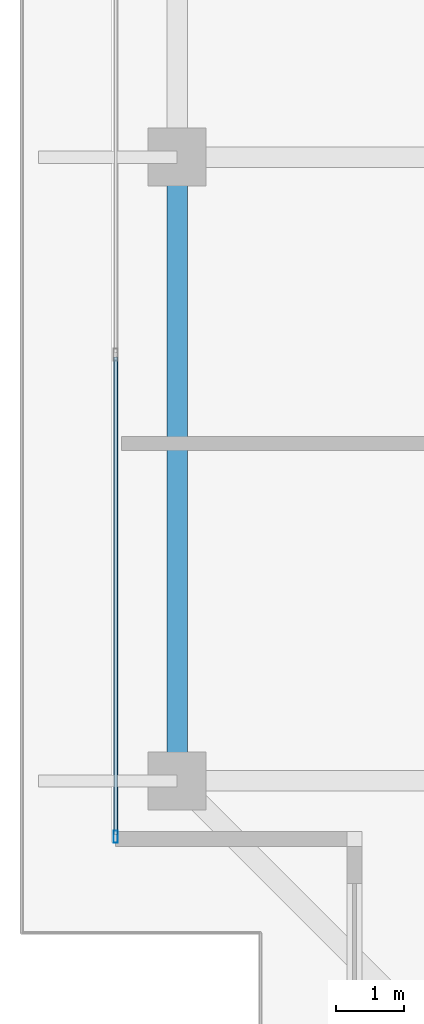
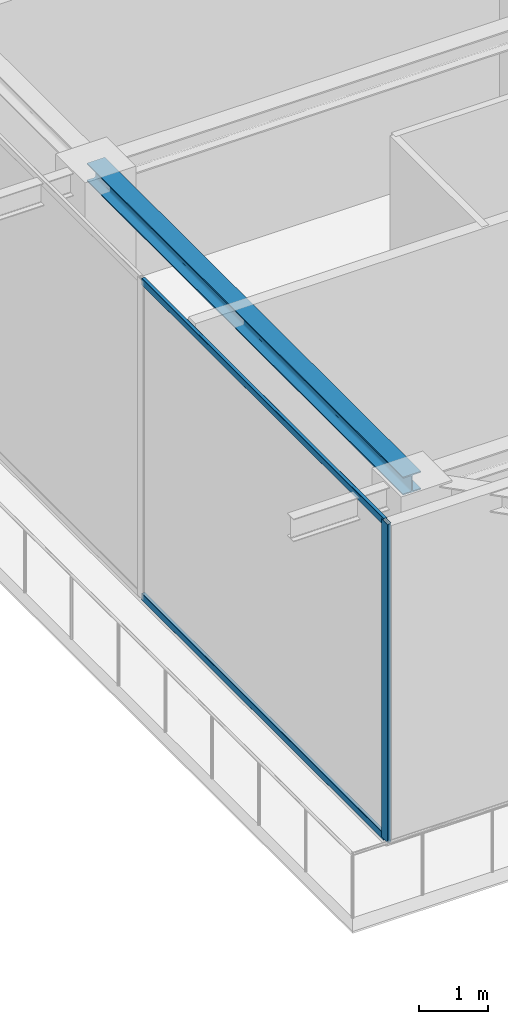
# One storey, part 4 of 38: 3 members, 1 beam, 1 element without a shape of its own.
"""IFC4 building model written with IfcOpenShell, lengths in metres."""

from ifc_helpers import new_model, si_unit, direction, frame, origin, origin_2d, place, context, subcontext, project, spatial, hollow_rectangle, i_section, extrude, source, transform, mapped, material, layer, layer_set, material_profile, profile_set, type_object, element, aggregate, save


model = new_model("IFC4")

# Units and contexts
model_context = context("Model", 3, precision=1e-05, world=origin(), true_north=direction((0.0, 1.0)))
body_context = subcontext(model_context, "Body", "Model", "MODEL_VIEW")
ifc_project = project(units=[si_unit("LENGTHUNIT", "METRE"), si_unit("AREAUNIT", "SQUARE_METRE"), si_unit("VOLUMEUNIT", "CUBIC_METRE"), si_unit("PLANEANGLEUNIT", "RADIAN"), si_unit("MASSUNIT", "GRAM", prefix="KILO")], contexts=[model_context])

# Site, building, storey
site_placement = place(None, origin())
site = spatial("IfcSite", under=ifc_project, at=site_placement, CompositionType="ELEMENT")
building_placement = place(site_placement, origin())
building = spatial("IfcBuilding", under=site, at=building_placement, Name="Serunith Strait Residences", CompositionType="ELEMENT")
storey_placement = place(building_placement, frame((0.0, 0.0, 342.050048828125)))
storey = spatial("IfcBuildingStorey", under=building, at=storey_placement, Name="L85", CompositionType="ELEMENT", Elevation=342.050048828125)

# Beam
ifc_material_1 = material(Name="Steel S355J2", Category="steel")
ifc_material_profile_1 = material_profile(ifc_material_1, i_section(OverallWidth=0.300048828125, OverallDepth=0.320068359375, WebThickness=0.011474609375, FlangeThickness=0.0205078125, FilletRadius=0.027099609375, at=origin_2d()), Name="HEB 320")
ifc_profile_set_1 = profile_set([ifc_material_profile_1], Name="Steel S355J2")
beam_type = type_object("IfcBeamType", Name="BM-HEB320", PredefinedType="BEAM", material=ifc_profile_set_1)
shared_shape_1 = source(origin(), body_context, "Body", "SweptSolid", [
    extrude(i_section(OverallWidth=0.300048828125, OverallDepth=0.320068359375, WebThickness=0.011474609375, FlangeThickness=0.0205078125, FilletRadius=0.027099609375, at=origin_2d()), origin(), (0.0, 0.0, 1.0), 9.14990234375),
])
beam_placement = place(storey_placement, frame((11.699951171875, 21.0, 5.47705078125), z_axis=(0.0, -1.0, 0.0), x_axis=(1.0, 0.0, 0.0)))
element("IfcBeam", 1, at=beam_placement, inside=storey, type_object=beam_type, Name="L85 Perimeter Ring Beam 15", PredefinedType="BEAM", context=body_context, shape_type="MappedRepresentation", body=[
    mapped(shared_shape_1, transform((0.0, 0.0, 0.0), scale=1.0)),
])

# Curtain wall, members
ifc_material_2 = material(Name="Brushed Stainless-Silver Aluminium", Category="aluminium")
ifc_layer = layer(ifc_material_2, 0.199951171875, Name="Brushed Stainless-Silver Aluminium")
ifc_layer_set = layer_set([ifc_layer], Name="Brushed Stainless-Silver Aluminium")
curtain_wall_type = type_object("IfcCurtainWallType", Name="CW-SYS5", PredefinedType="NOTDEFINED", material=ifc_layer_set)
curtain_wall_placement = place(storey_placement, origin())
curtain_wall = element("IfcCurtainWall", 2, at=curtain_wall_placement, inside=storey, type_object=curtain_wall_type, Name="L85 W Unitised Fritted Curtain Wall", PredefinedType="NOTDEFINED")
ifc_material_profile_2 = material_profile(ifc_material_2, hollow_rectangle(XDim=0.06005859375, YDim=0.1201171875, WallThickness=0.00341796875, InnerFilletRadius=0.00537109375, OuterFilletRadius=0.0087890625, at=origin_2d()), Name="ALU 120x60x3.5")
ifc_profile_set_2 = profile_set([ifc_material_profile_2], Name="Brushed Stainless-Silver Aluminium")
member_type_1 = type_object("IfcMemberType", Name="CW-SYS5-TRAN", PredefinedType="USERDEFINED", material=ifc_profile_set_2)
shared_shape_2 = source(origin(), body_context, "Body", "SweptSolid", [
    extrude(hollow_rectangle(XDim=0.06005859375, YDim=0.1201171875, WallThickness=0.00341796875, InnerFilletRadius=0.00537109375, OuterFilletRadius=0.0087890625, at=origin_2d()), origin(), (0.0, 0.0, 1.0), 7.00244140625),
])
member_1_placement = place(storey_placement, frame((10.800048828125, 18.0673828125, 0.030029296875), z_axis=(0.0, -1.0, 0.0), x_axis=(1.0, 0.0, 0.0)))
member_1 = element("IfcMember", 3, at=member_1_placement, type_object=member_type_1, Name="CW-5 transom 4.1", ObjectType="TRANSOM", PredefinedType="USERDEFINED", context=body_context, shape_type="MappedRepresentation", body=[
    mapped(shared_shape_2, transform((0.0, 0.0, 0.0), scale=1.0)),
])
member_2_placement = place(storey_placement, frame((10.800048828125, 18.0673828125, 5.594970703125), z_axis=(0.0, -1.0, 0.0), x_axis=(1.0, 0.0, 0.0)))
member_2 = element("IfcMember", 4, at=member_2_placement, type_object=member_type_1, Name="CW-5 transom 4.2", ObjectType="TRANSOM", PredefinedType="USERDEFINED", context=body_context, shape_type="MappedRepresentation", body=[
    mapped(shared_shape_2, transform((0.0, 0.0, 0.0), scale=1.0)),
])
ifc_material_profile_3 = material_profile(ifc_material_2, hollow_rectangle(XDim=0.06494140625, YDim=0.179931640625, WallThickness=0.00341796875, InnerFilletRadius=0.00537109375, OuterFilletRadius=0.0087890625, at=origin_2d()), Name="ALU 180x65x3.5")
ifc_profile_set_3 = profile_set([ifc_material_profile_3], Name="Brushed Stainless-Silver Aluminium")
member_type_2 = type_object("IfcMemberType", Name="CW-SYS5-MULL", PredefinedType="MULLION", material=ifc_profile_set_3)
shared_shape_3 = source(origin(), body_context, "Body", "SweptSolid", [
    extrude(hollow_rectangle(XDim=0.06494140625, YDim=0.179931640625, WallThickness=0.00341796875, InnerFilletRadius=0.00537109375, OuterFilletRadius=0.0087890625, at=origin_2d()), origin(), (0.0, 0.0, 1.0), 5.625),
])
member_3_placement = place(storey_placement, frame((10.800048828125, 11.032470703125, 0.0), z_axis=(0.0, 0.0, 1.0), x_axis=(1.0, 0.0, 0.0)))
member_3 = element("IfcMember", 5, at=member_3_placement, type_object=member_type_2, Name="CW-5 mullion 5", PredefinedType="MULLION", context=body_context, shape_type="MappedRepresentation", body=[
    mapped(shared_shape_3, transform((0.0, 0.0, 0.0), scale=1.0)),
])
aggregate(curtain_wall, [member_3, member_1, member_2])

save(model, "model.ifc")
